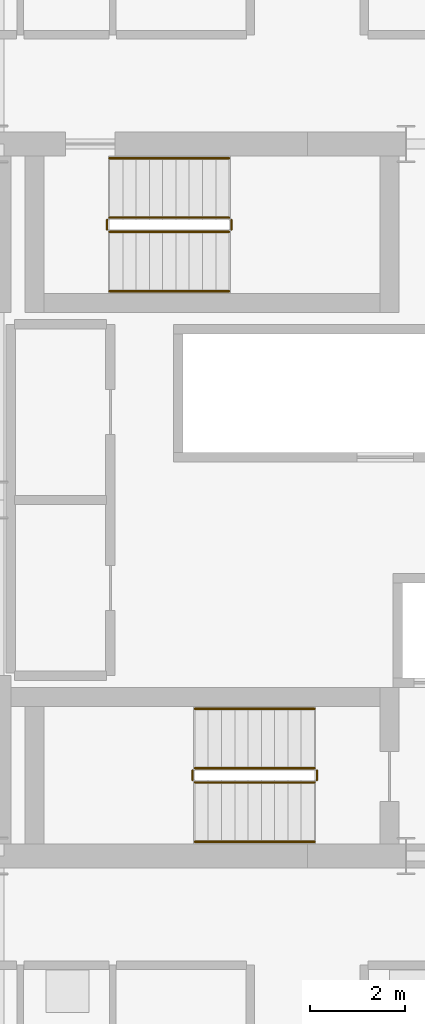
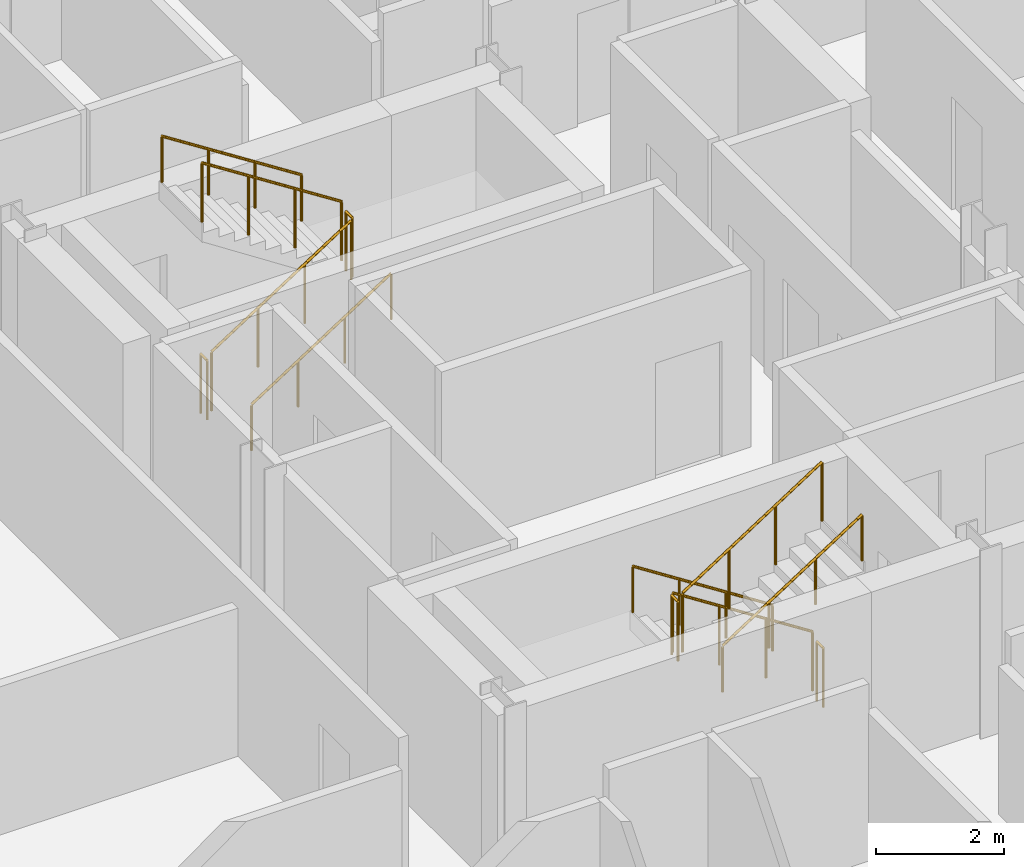
# One storey, part 25 of 26: 12 railings.
"""IFC4 building model written with IfcOpenShell, lengths in metres."""

from ifc_helpers import new_model, si_unit, direction, frame, origin, origin_2d, place, context, subcontext, project, spatial, circle, extrude, material, type_object, element, save


model = new_model("IFC4")

# Units and contexts
model_context = context("Model", 3, precision=1e-05, world=origin(), true_north=direction((0.0, 1.0)))
body_context = subcontext(model_context, "Body", "Model", "MODEL_VIEW")
ifc_project = project(units=[si_unit("LENGTHUNIT", "METRE"), si_unit("AREAUNIT", "SQUARE_METRE"), si_unit("VOLUMEUNIT", "CUBIC_METRE"), si_unit("PLANEANGLEUNIT", "RADIAN"), si_unit("MASSUNIT", "GRAM", prefix="KILO")], contexts=[model_context])

# Site, building, storey
site_placement = place(None, origin())
site = spatial("IfcSite", under=ifc_project, at=site_placement, CompositionType="ELEMENT")
building_placement = place(site_placement, origin())
building = spatial("IfcBuilding", under=site, at=building_placement, Name="Barlavira Tower and Art Museum", CompositionType="ELEMENT")
storey_placement = place(building_placement, frame((0.0, 0.0, 198.0)))
storey = spatial("IfcBuildingStorey", under=building, at=storey_placement, Name="L51", CompositionType="ELEMENT", Elevation=198.0)

# Railings
ifc_material = material(Name="Brushed stainless steel", Category="steel")
railing_type_1 = type_object("IfcRailingType", Name="Interior Void and Landing Guard Railing 1150", PredefinedType="GUARDRAIL", material=ifc_material)
railing_1_placement = place(storey_placement, frame((0.14990234375, -5.64990234375, 0.179931640625)))
element("IfcRailing", 1, at=railing_1_placement, inside=storey, type_object=railing_type_1, Name="L51 ST-T1 stair guard 1", PredefinedType="GUARDRAIL", context=body_context, shape_type="SweptSolid", body=[
    extrude(circle(Radius=0.02392578125, at=origin_2d()), frame((0.0, 0.0, 1.1259765625), z_axis=(-0.841162588446, 0.0, 0.540782303519), x_axis=(0.0, -1.0, 0.0)), (0.0, 0.0, 1.0), 2.995849609375),
    extrude(circle(Radius=0.02099609375, at=origin_2d()), origin(), (0.0, 0.0, 1.0), 1.101806640625),
    extrude(circle(Radius=0.02099609375, at=origin_2d()), frame((-0.840087890625, 0.0, 0.5400390625)), (0.0, 0.0, 1.0), 1.101806640625),
    extrude(circle(Radius=0.02099609375, at=origin_2d()), frame((-1.679931640625, 0.0, 1.080078125)), (0.0, 0.0, 1.0), 1.101806640625),
    extrude(circle(Radius=0.02099609375, at=origin_2d()), frame((-2.52001953125, 0.0, 1.6201171875)), (0.0, 0.0, 1.0), 1.101806640625),
])
railing_2_placement = place(storey_placement, frame((-2.419921875, -5.699951171875, 1.800048828125)))
element("IfcRailing", 2, at=railing_2_placement, inside=storey, type_object=railing_type_1, Name="L51 ST-T1 stair guard 2", PredefinedType="GUARDRAIL", context=body_context, shape_type="SweptSolid", body=[
    extrude(circle(Radius=0.02392578125, at=origin_2d()), frame((0.0, 0.0, 1.1259765625), z_axis=(0.0, -1.0, 0.0), x_axis=(1.0, 0.0, 0.0)), (0.0, 0.0, 1.0), 0.199951171875),
    extrude(circle(Radius=0.02099609375, at=origin_2d()), origin(), (0.0, 0.0, 1.0), 1.101806640625),
    extrude(circle(Radius=0.02099609375, at=origin_2d()), frame((0.0, -0.199951171875, 0.0)), (0.0, 0.0, 1.0), 1.101806640625),
])
railing_3_placement = place(storey_placement, frame((-2.3701171875, -5.949951171875, 1.97998046875)))
element("IfcRailing", 3, at=railing_3_placement, inside=storey, type_object=railing_type_1, Name="L51 ST-T1 stair guard 3", PredefinedType="GUARDRAIL", context=body_context, shape_type="SweptSolid", body=[
    extrude(circle(Radius=0.02392578125, at=origin_2d()), frame((0.0, 0.0, 1.1259765625), z_axis=(0.841162588446, 0.0, 0.540782303519), x_axis=(0.0, 1.0, 0.0)), (0.0, 0.0, 1.0), 2.995849609375),
    extrude(circle(Radius=0.02099609375, at=origin_2d()), origin(), (0.0, 0.0, 1.0), 1.101806640625),
    extrude(circle(Radius=0.02099609375, at=origin_2d()), frame((0.840087890625, 0.0, 0.5400390625)), (0.0, 0.0, 1.0), 1.101806640625),
    extrude(circle(Radius=0.02099609375, at=origin_2d()), frame((1.679931640625, 0.0, 1.080078125)), (0.0, 0.0, 1.0), 1.101806640625),
    extrude(circle(Radius=0.02099609375, at=origin_2d()), frame((2.52001953125, 0.0, 1.6201171875)), (0.0, 0.0, 1.0), 1.101806640625),
])
railing_4_placement = place(storey_placement, frame((0.199951171875, -5.699951171875, 0.0)))
element("IfcRailing", 4, at=railing_4_placement, inside=storey, type_object=railing_type_1, Name="L51 ST-T1 stair guard 4", PredefinedType="GUARDRAIL", context=body_context, shape_type="SweptSolid", body=[
    extrude(circle(Radius=0.02392578125, at=origin_2d()), frame((0.0, 0.0, 1.1259765625), z_axis=(0.0, -1.0, 0.0), x_axis=(1.0, 0.0, 0.0)), (0.0, 0.0, 1.0), 0.199951171875),
    extrude(circle(Radius=0.02099609375, at=origin_2d()), origin(), (0.0, 0.0, 1.0), 1.101806640625),
    extrude(circle(Radius=0.02099609375, at=origin_2d()), frame((0.0, -0.199951171875, 0.0)), (0.0, 0.0, 1.0), 1.101806640625),
])
railing_5_placement = place(storey_placement, frame((-4.169921875, 5.64990234375, 0.179931640625)))
element("IfcRailing", 5, at=railing_5_placement, inside=storey, type_object=railing_type_1, Name="L51 ST-T2 stair guard 1", PredefinedType="GUARDRAIL", context=body_context, shape_type="SweptSolid", body=[
    extrude(circle(Radius=0.02392578125, at=origin_2d()), frame((0.0, 0.0, 1.1259765625), z_axis=(0.841162588446, 0.0, 0.540782303519), x_axis=(0.0, 1.0, 0.0)), (0.0, 0.0, 1.0), 2.995849609375),
    extrude(circle(Radius=0.02099609375, at=origin_2d()), origin(), (0.0, 0.0, 1.0), 1.101806640625),
    extrude(circle(Radius=0.02099609375, at=origin_2d()), frame((0.840087890625, 0.0, 0.5400390625)), (0.0, 0.0, 1.0), 1.101806640625),
    extrude(circle(Radius=0.02099609375, at=origin_2d()), frame((1.679931640625, 0.0, 1.080078125)), (0.0, 0.0, 1.0), 1.101806640625),
    extrude(circle(Radius=0.02099609375, at=origin_2d()), frame((2.52001953125, 0.0, 1.6201171875)), (0.0, 0.0, 1.0), 1.101806640625),
])
railing_6_placement = place(storey_placement, frame((-1.60009765625, 5.699951171875, 1.800048828125)))
element("IfcRailing", 6, at=railing_6_placement, inside=storey, type_object=railing_type_1, Name="L51 ST-T2 stair guard 2", PredefinedType="GUARDRAIL", context=body_context, shape_type="SweptSolid", body=[
    extrude(circle(Radius=0.02392578125, at=origin_2d()), frame((0.0, 0.0, 1.1259765625), z_axis=(0.0, 1.0, 0.0), x_axis=(-1.0, 0.0, 0.0)), (0.0, 0.0, 1.0), 0.199951171875),
    extrude(circle(Radius=0.02099609375, at=origin_2d()), origin(), (0.0, 0.0, 1.0), 1.101806640625),
    extrude(circle(Radius=0.02099609375, at=origin_2d()), frame((0.0, 0.199951171875, 0.0)), (0.0, 0.0, 1.0), 1.101806640625),
])
railing_7_placement = place(storey_placement, frame((-1.64990234375, 5.949951171875, 1.97998046875)))
element("IfcRailing", 7, at=railing_7_placement, inside=storey, type_object=railing_type_1, Name="L51 ST-T2 stair guard 3", PredefinedType="GUARDRAIL", context=body_context, shape_type="SweptSolid", body=[
    extrude(circle(Radius=0.02392578125, at=origin_2d()), frame((0.0, 0.0, 1.1259765625), z_axis=(-0.841162588446, 0.0, 0.540782303519), x_axis=(0.0, -1.0, 0.0)), (0.0, 0.0, 1.0), 2.995849609375),
    extrude(circle(Radius=0.02099609375, at=origin_2d()), origin(), (0.0, 0.0, 1.0), 1.101806640625),
    extrude(circle(Radius=0.02099609375, at=origin_2d()), frame((-0.840087890625, 0.0, 0.5400390625)), (0.0, 0.0, 1.0), 1.101806640625),
    extrude(circle(Radius=0.02099609375, at=origin_2d()), frame((-1.679931640625, 0.0, 1.080078125)), (0.0, 0.0, 1.0), 1.101806640625),
    extrude(circle(Radius=0.02099609375, at=origin_2d()), frame((-2.52001953125, 0.0, 1.6201171875)), (0.0, 0.0, 1.0), 1.101806640625),
])
railing_8_placement = place(storey_placement, frame((-4.219970703125, 5.699951171875, 0.0)))
element("IfcRailing", 8, at=railing_8_placement, inside=storey, type_object=railing_type_1, Name="L51 ST-T2 stair guard 4", PredefinedType="GUARDRAIL", context=body_context, shape_type="SweptSolid", body=[
    extrude(circle(Radius=0.02392578125, at=origin_2d()), frame((0.0, 0.0, 1.1259765625), z_axis=(0.0, 1.0, 0.0), x_axis=(-1.0, 0.0, 0.0)), (0.0, 0.0, 1.0), 0.199951171875),
    extrude(circle(Radius=0.02099609375, at=origin_2d()), origin(), (0.0, 0.0, 1.0), 1.101806640625),
    extrude(circle(Radius=0.02099609375, at=origin_2d()), frame((0.0, 0.199951171875, 0.0)), (0.0, 0.0, 1.0), 1.101806640625),
])
railing_type_2 = type_object("IfcRailingType", Name="Stair Pitch Tubular Steel Handrail 920", PredefinedType="HANDRAIL", material=ifc_material)
railing_9_placement = place(storey_placement, frame((0.14990234375, -4.39990234375, 0.179931640625)))
element("IfcRailing", 9, at=railing_9_placement, inside=storey, type_object=railing_type_2, Name="L51 ST-T1 stair handrail 1", PredefinedType="HANDRAIL", context=body_context, shape_type="SweptSolid", body=[
    extrude(circle(Radius=0.02392578125, at=origin_2d()), frame((0.0, 0.0, 0.8759765625), z_axis=(-0.841162588446, 0.0, 0.540782303519), x_axis=(0.0, -1.0, 0.0)), (0.0, 0.0, 1.0), 2.995849609375),
    extrude(circle(Radius=0.02099609375, at=origin_2d()), origin(), (0.0, 0.0, 1.0), 0.851806640625),
    extrude(circle(Radius=0.02099609375, at=origin_2d()), frame((-0.840087890625, 0.0, 0.5400390625)), (0.0, 0.0, 1.0), 0.851806640625),
    extrude(circle(Radius=0.02099609375, at=origin_2d()), frame((-1.679931640625, 0.0, 1.080078125)), (0.0, 0.0, 1.0), 0.851806640625),
    extrude(circle(Radius=0.02099609375, at=origin_2d()), frame((-2.52001953125, 0.0, 1.6201171875)), (0.0, 0.0, 1.0), 0.851806640625),
])
for number, where, name in (
    (10, (-2.3701171875, -7.199951171875, 1.97998046875), "L51 ST-T1 stair handrail 2"),
    (11, (-4.169921875, 4.39990234375, 0.179931640625), "L51 ST-T2 stair handrail 1"),
):
    element("IfcRailing", number, at=place(storey_placement, frame(where)), inside=storey, type_object=railing_type_2, Name=name, PredefinedType="HANDRAIL", context=body_context, shape_type="SweptSolid", body=[
        extrude(circle(Radius=0.02392578125, at=origin_2d()), frame((0.0, 0.0, 0.8759765625), z_axis=(0.841162588446, 0.0, 0.540782303519), x_axis=(0.0, 1.0, 0.0)), (0.0, 0.0, 1.0), 2.995849609375),
        extrude(circle(Radius=0.02099609375, at=origin_2d()), origin(), (0.0, 0.0, 1.0), 0.851806640625),
        extrude(circle(Radius=0.02099609375, at=origin_2d()), frame((0.840087890625, 0.0, 0.5400390625)), (0.0, 0.0, 1.0), 0.851806640625),
        extrude(circle(Radius=0.02099609375, at=origin_2d()), frame((1.679931640625, 0.0, 1.080078125)), (0.0, 0.0, 1.0), 0.851806640625),
        extrude(circle(Radius=0.02099609375, at=origin_2d()), frame((2.52001953125, 0.0, 1.6201171875)), (0.0, 0.0, 1.0), 0.851806640625),
    ])
railing_10_placement = place(storey_placement, frame((-1.64990234375, 7.199951171875, 1.97998046875)))
element("IfcRailing", 12, at=railing_10_placement, inside=storey, type_object=railing_type_2, Name="L51 ST-T2 stair handrail 2", PredefinedType="HANDRAIL", context=body_context, shape_type="SweptSolid", body=[
    extrude(circle(Radius=0.02392578125, at=origin_2d()), frame((0.0, 0.0, 0.8759765625), z_axis=(-0.841162588446, 0.0, 0.540782303519), x_axis=(0.0, -1.0, 0.0)), (0.0, 0.0, 1.0), 2.995849609375),
    extrude(circle(Radius=0.02099609375, at=origin_2d()), origin(), (0.0, 0.0, 1.0), 0.851806640625),
    extrude(circle(Radius=0.02099609375, at=origin_2d()), frame((-0.840087890625, 0.0, 0.5400390625)), (0.0, 0.0, 1.0), 0.851806640625),
    extrude(circle(Radius=0.02099609375, at=origin_2d()), frame((-1.679931640625, 0.0, 1.080078125)), (0.0, 0.0, 1.0), 0.851806640625),
    extrude(circle(Radius=0.02099609375, at=origin_2d()), frame((-2.52001953125, 0.0, 1.6201171875)), (0.0, 0.0, 1.0), 0.851806640625),
])

save(model, "model.ifc")
